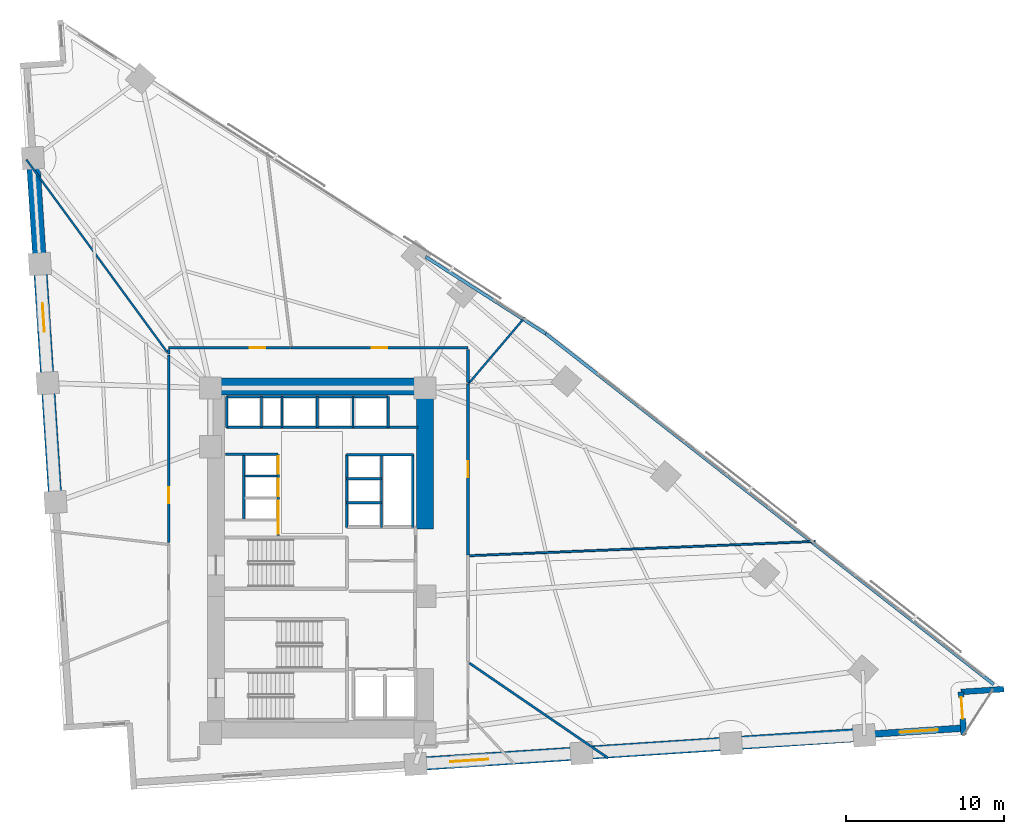
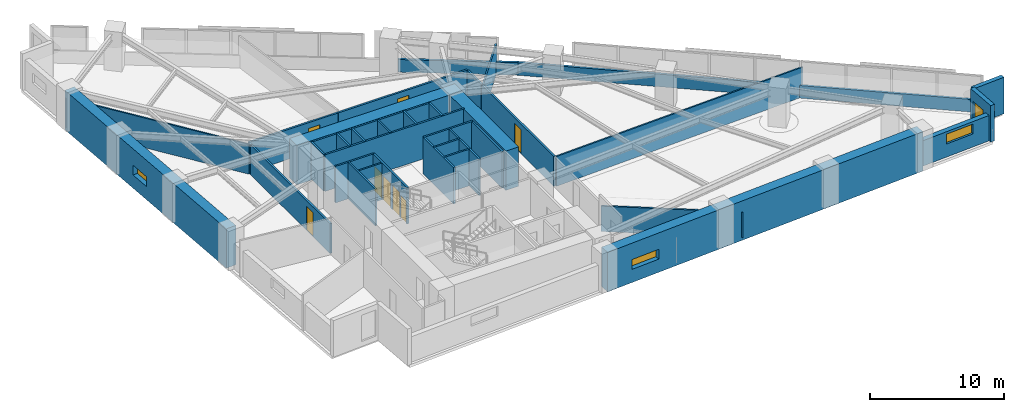
# One storey, part 13 of 16: 38 walls, 9 doors, 3 windows, 12 openings.
"""IFC4 building model written with IfcOpenShell, lengths in metres."""

import ifcopenshell
import ifcopenshell.guid

model = None  # the IFC model being written
_history = None  # IfcOwnerHistory: only IFC2X3 demands one
_inside = {}  # id of a spatial element -> (the spatial element, [elements in it])
_under = {}  # id of a project, library or spatial element -> (it, [spatial elements below it])
_declared = {}  # id of a project -> (the project, [libraries it declares])
_typed = {}  # id of a type object -> (the type object, [elements of that type])
_made_of = {}  # id of a material, layer set ... -> (it, [elements and type objects made of it])


def new_model(schema):
    """Start an empty IFC model of exactly this schema.

    Asked for "IFC4X3", IfcOpenShell would pick the latest addendum, in which some entities
    have other attributes; the version numbers below select the first issue.
    IFC2X3 requires an IfcOwnerHistory on every rooted entity: one is made here for all.
    """
    global model, _history
    if schema == "IFC4X3":
        model = ifcopenshell.file(schema_version=(4, 3, 0, 0))
    else:
        model = ifcopenshell.file(schema=schema)
    _inside.clear()
    _under.clear()
    _declared.clear()
    _typed.clear()
    _made_of.clear()
    _history = None
    if model.schema == "IFC2X3":
        org = make("IfcOrganization", Name="unknown")
        user = make(
            "IfcPersonAndOrganization",
            ThePerson=make("IfcPerson", FamilyName="unknown"),
            TheOrganization=org,
        )
        app = make(
            "IfcApplication",
            ApplicationDeveloper=org,
            Version="unknown",
            ApplicationFullName="unknown",
            ApplicationIdentifier="unknown",
        )
        _history = make(
            "IfcOwnerHistory",
            OwningUser=user,
            OwningApplication=app,
            ChangeAction="ADDED",
            CreationDate=0,
        )
    return model


def make(cls, **values):
    """One entity of the class cls with the attributes given. An attribute that is None is left unset."""
    return model.create_entity(
        cls, **{name: value for name, value in values.items() if value is not None}
    )


def rooted(cls, **values):
    """An entity with a GlobalId (a new one), such as an element, a storey or a relation."""
    return make(cls, GlobalId=ifcopenshell.guid.new(), OwnerHistory=_history, **values)


def si_unit(unit_type, name, prefix=None):
    """IfcSIUnit, for example si_unit("LENGTHUNIT", "METRE", prefix="MILLI")."""
    return make("IfcSIUnit", UnitType=unit_type, Prefix=prefix, Name=name)


def assignment(units):
    """IfcUnitAssignment: the units of a project."""
    return None if units is None else make("IfcUnitAssignment", Units=units)


def point(xyz):
    """IfcCartesianPoint."""
    return None if xyz is None else make("IfcCartesianPoint", Coordinates=xyz)


def direction(xyz):
    """IfcDirection."""
    return None if xyz is None else make("IfcDirection", DirectionRatios=xyz)


def frame(location, z_axis=None, x_axis=None):
    """IfcAxis2Placement3D, a coordinate frame: its origin and axes. An axis left out is left unset."""
    return make(
        "IfcAxis2Placement3D",
        Location=point(location),
        Axis=direction(z_axis),
        RefDirection=direction(x_axis),
    )


def frame_2d(location, x_axis=None):
    """IfcAxis2Placement2D, a coordinate frame in the plane: its origin and x axis."""
    return make(
        "IfcAxis2Placement2D", Location=point(location), RefDirection=direction(x_axis)
    )


def origin():
    """The frame at (0, 0, 0) with its axes left unset."""
    return frame((0.0, 0.0, 0.0))


def place(relative_to, where):
    """IfcLocalPlacement: puts the frame where relative to a parent placement (None: the world)."""
    return make(
        "IfcLocalPlacement", PlacementRelTo=relative_to, RelativePlacement=where
    )


def context(
    kind, dimensions, precision=None, world=None, true_north=None, identifier=None
):
    """IfcGeometricRepresentationContext, for example the 3D "Model" context."""
    return make(
        "IfcGeometricRepresentationContext",
        ContextIdentifier=identifier,
        ContextType=kind,
        CoordinateSpaceDimension=dimensions,
        Precision=precision,
        WorldCoordinateSystem=world,
        TrueNorth=true_north,
    )


def subcontext(parent, identifier, kind, view, scale=None):
    """IfcGeometricRepresentationSubContext, for example "Body" below "Model"."""
    return make(
        "IfcGeometricRepresentationSubContext",
        ContextIdentifier=identifier,
        ContextType=kind,
        ParentContext=parent,
        TargetScale=scale,
        TargetView=view,
    )


def project(units=None, contexts=None):
    """IfcProject with its units and contexts."""
    return rooted(
        "IfcProject",
        Name="project",
        RepresentationContexts=contexts,
        UnitsInContext=assignment(units),
    )


def spatial(cls, under=None, at=None, **own):
    """A site, building, storey or space (cls), placed at a placement, below another one or the project."""
    s = rooted(cls, ObjectPlacement=at, **own)
    if under is not None:
        _under.setdefault(under.id(), (under, []))[1].append(s)
    return s


def profile(cls, at=None, kind="AREA", **sizes):
    """A parametric profile (cls). Its sizes go by their IFC names, for example OverallWidth=200.0."""
    return make(cls, ProfileType=kind, Position=at, **sizes)


def rectangle(**sizes):
    """IfcRectangleProfileDef."""
    return profile("IfcRectangleProfileDef", **sizes)


def extrude(swept, where, along, depth):
    """IfcExtrudedAreaSolid: the profile swept, set in the frame where, extruded along a direction by depth."""
    return make(
        "IfcExtrudedAreaSolid",
        SweptArea=swept,
        Position=where,
        ExtrudedDirection=direction(along),
        Depth=depth,
    )


def shape(context_of_items, identifier, shape_type, items):
    """IfcShapeRepresentation: the items that make up one representation, for example the "Body"."""
    return make(
        "IfcShapeRepresentation",
        ContextOfItems=context_of_items,
        RepresentationIdentifier=identifier,
        RepresentationType=shape_type,
        Items=items,
    )


def material(Name=None, Category=None):
    """IfcMaterial."""
    return make("IfcMaterial", Name=Name, Category=Category)


def layer(
    of_material, thickness, ventilated=None, Name=None, Category=None, Priority=None
):
    """IfcMaterialLayer: one layer of a wall or slab, of a material (None: an air gap)."""
    return make(
        "IfcMaterialLayer",
        Material=of_material,
        LayerThickness=thickness,
        IsVentilated=ventilated,
        Name=Name,
        Category=Category,
        Priority=Priority,
    )


def layer_set(layers, Name=None):
    """IfcMaterialLayerSet."""
    return make("IfcMaterialLayerSet", MaterialLayers=layers, LayerSetName=Name)


def made_of(thing, what):
    """Note that an element or type object is made of a material, layer set ...; save() writes the relation."""
    if what is not None:
        _made_of.setdefault(what.id(), (what, []))[1].append(thing)
    return thing


def type_object(cls, material=None, **own):
    """A type object (cls), such as IfcWallType, which elements share."""
    return made_of(rooted(cls, **own), material)


def element(
    cls,
    number,
    at=None,
    inside=None,
    cuts=None,
    type_object=None,
    material=None,
    context=None,
    identifier="Body",
    shape_type=None,
    held_by="IfcProductDefinitionShape",
    body=None,
    shapes=None,
    **own,
):
    """One element of the class cls, such as IfcWall. Its Tag is "e" and its number.

    at: its placement. inside: the storey or other place that contains it. cuts: it is an
    opening in that element (IfcRelVoidsElement). A single representation is given by context,
    identifier, shape_type and body (its items); several are given by shapes. held_by: the class
    of the entity that holds the representations. save() writes the other relations.
    """
    e = rooted(cls, Tag="e%d" % number, ObjectPlacement=at, **own)
    if body is not None:
        shapes = [shape(context, identifier, shape_type, body)]
    if shapes is not None:
        e.Representation = make(held_by, Representations=shapes)
    if inside is not None:
        _inside.setdefault(inside.id(), (inside, []))[1].append(e)
    if cuts is not None:
        rooted(
            "IfcRelVoidsElement", RelatingBuildingElement=cuts, RelatedOpeningElement=e
        )
    if type_object is not None:
        _typed.setdefault(type_object.id(), (type_object, []))[1].append(e)
    return made_of(e, material)


def fill(opening, filler):
    """IfcRelFillsElement: the door or window that sits in an opening."""
    return rooted(
        "IfcRelFillsElement",
        RelatingOpeningElement=opening,
        RelatedBuildingElement=filler,
    )


def aggregate(whole, parts):
    """IfcRelAggregates: a whole, such as a stair, and the parts it consists of."""
    return rooted("IfcRelAggregates", RelatingObject=whole, RelatedObjects=parts)


def save(model, path):
    """Write the relations noted so far, then the file.

    IfcRelAggregates (storeys below a building ...), IfcRelContainedInSpatialStructure (elements
    in a storey), IfcRelDefinesByType, IfcRelAssociatesMaterial and IfcRelDeclares: one each for
    every whole, place, type object, material and project.
    """
    for whole, parts in _under.values():
        aggregate(whole, parts)
    for where, things in _inside.values():
        rooted(
            "IfcRelContainedInSpatialStructure",
            RelatedElements=things,
            RelatingStructure=where,
        )
    for kind, things in _typed.values():
        rooted("IfcRelDefinesByType", RelatedObjects=things, RelatingType=kind)
    for what, things in _made_of.values():
        rooted("IfcRelAssociatesMaterial", RelatedObjects=things, RelatingMaterial=what)
    for by, libraries in _declared.values():
        rooted("IfcRelDeclares", RelatingContext=by, RelatedDefinitions=libraries)
    model.write(path)


model = new_model("IFC4")

# Units and contexts
model_context = context("Model", 3, precision=1e-05, world=origin(), true_north=direction((0.0, 1.0)))
body_context = subcontext(model_context, "Body", "Model", "MODEL_VIEW")
ifc_project = project(units=[si_unit("LENGTHUNIT", "METRE"), si_unit("AREAUNIT", "SQUARE_METRE"), si_unit("VOLUMEUNIT", "CUBIC_METRE"), si_unit("PLANEANGLEUNIT", "RADIAN"), si_unit("MASSUNIT", "GRAM", prefix="KILO")], contexts=[model_context])

# Site, building, storey
site_placement = place(None, origin())
site = spatial("IfcSite", under=ifc_project, at=site_placement, CompositionType="ELEMENT")
building_placement = place(site_placement, origin())
building = spatial("IfcBuilding", under=site, at=building_placement, Name="Narakoshi Arena Tower", CompositionType="ELEMENT")
storey_placement = place(building_placement, frame((0.0, 0.0, 81.300048828125)))
storey = spatial("IfcBuildingStorey", under=building, at=storey_placement, Name="L21", CompositionType="ELEMENT", Elevation=81.300048828125)

# Walls
ifc_material_1 = material(Name="Concrete C60/75", Category="concrete")
ifc_layer_1 = layer(ifc_material_1, 1.10009765625)
ifc_layer_set_1 = layer_set([ifc_layer_1], Name="Concrete C60/75")
wall_type_1 = type_object("IfcWallType", Name="WL-CORE-1100", PredefinedType="SHEAR", material=ifc_layer_set_1)
wall_1_placement = place(storey_placement, frame((71.800048828125, 56.60009765625, -0.260009765625), z_axis=(0.0, 0.0, 1.0), x_axis=(1.0, 0.0, 0.0)))
element("IfcWall", 1, at=wall_1_placement, inside=storey, type_object=wall_type_1, Name="L21 Main Core Shear Wall CW-MN-N", PredefinedType="SHEAR", context=body_context, shape_type="SweptSolid", body=[
    extrude(rectangle(XDim=14.300048828125, YDim=1.10009765625, at=frame_2d((7.14990234375, 0.0))), origin(), (0.0, 0.0, 1.0), 3.599853515625),
])
wall_2_placement = place(storey_placement, frame((85.550048828125, 47.60009765625, -0.260009765625), z_axis=(0.0, 0.0, 1.0), x_axis=(0.0, 1.0, 0.0)))
element("IfcWall", 2, at=wall_2_placement, inside=storey, type_object=wall_type_1, Name="L21 Main Core Shear Wall CW-MN-E", PredefinedType="SHEAR", context=body_context, shape_type="SweptSolid", body=[
    extrude(rectangle(XDim=8.449951171875, YDim=1.10009765625, at=frame_2d((4.22509765625, 0.0))), origin(), (0.0, 0.0, 1.0), 3.599853515625),
])

# Wall, opening, door
ifc_material_2 = material(Name="Gypsum plasterboard fire-rated partition")
ifc_layer_2 = layer(ifc_material_2, 0.1650390625)
ifc_layer_set_2 = layer_set([ifc_layer_2], Name="Gypsum plasterboard fire-rated partition")
wall_type_2 = type_object("IfcWallType", Name="WL-CORR-165", PredefinedType="PARTITIONING", material=ifc_layer_set_2)
wall_3_placement = place(storey_placement, frame((88.265625, 45.96728515625, 0.0), z_axis=(0.0, 0.0, 1.0), x_axis=(0.0, 1.0, 0.0)))
wall_3 = element("IfcWall", 3, at=wall_3_placement, inside=storey, type_object=wall_type_2, Name="L21 Corridor Partition 06-1", PredefinedType="PARTITIONING", context=body_context, shape_type="SweptSolid", body=[
    extrude(rectangle(XDim=10.79541015625, YDim=0.1650390625, at=frame_2d((5.397705078125, 0.0))), origin(), (0.0, 0.0, 1.0), 2.724853515625),
])
opening_1_placement = place(wall_3_placement, frame((4.897705078125, 0.0, 0.0)))
opening_1 = element("IfcOpeningElement", 4, at=opening_1_placement, cuts=wall_3, Name="Opening D-06", PredefinedType="OPENING", context=body_context, shape_type="SweptSolid", body=[
    extrude(rectangle(XDim=1.0, YDim=2.199951171875, at=frame_2d((0.5, 1.10009765625))), frame((0.0, 0.092529296875, 0.0), z_axis=(0.0, -1.0, 0.0), x_axis=(1.0, 0.0, 0.0)), (0.0, 0.0, 1.0), 0.18505859375),
])
ifc_material_3 = material(Name="Stained oak solid-core timber", Category="wood")
door_type_1 = type_object("IfcDoorType", Name="DR-OFF-1000", OperationType="NOTDEFINED", PredefinedType="DOOR", material=ifc_material_3)
door_1_placement = place(opening_1_placement, frame((1.0, 0.0, 0.0), z_axis=(0.0, 0.0, 1.0), x_axis=(-1.0, 0.0, 0.0)))
door_1 = element("IfcDoor", 5, at=door_1_placement, inside=storey, type_object=door_type_1, Name="DR-L21-019", OperationType="SINGLE_SWING_RIGHT", OverallHeight=2.199951171875, OverallWidth=1.0, PredefinedType="DOOR", context=body_context, shape_type="SweptSolid", body=[
    extrude(rectangle(XDim=1.0, YDim=2.199951171875, at=frame_2d((0.5, 1.10009765625))), frame((0.0, 0.02490234375, 0.0), z_axis=(0.0, -1.0, 0.0), x_axis=(1.0, 0.0, 0.0)), (0.0, 0.0, 1.0), 0.050048828125),
])
fill(opening_1, door_1)

wall_4_placement = place(storey_placement, frame((88.265625, 59.04248046875, 0.0), z_axis=(0.0, 0.0, 1.0), x_axis=(-1.0, 0.0, 0.0)))
wall_4 = element("IfcWall", 6, at=wall_4_placement, inside=storey, type_object=wall_type_2, Name="L21 Corridor Partition 07-1", PredefinedType="PARTITIONING", context=body_context, shape_type="SweptSolid", body=[
    extrude(rectangle(XDim=11.1875, YDim=0.1650390625, at=frame_2d((5.59375, 0.0))), origin(), (0.0, 0.0, 1.0), 2.724853515625),
])
opening_2_placement = place(wall_4_placement, frame((5.09375, 0.0, 0.0)))
opening_2 = element("IfcOpeningElement", 7, at=opening_2_placement, cuts=wall_4, Name="Opening D-06", PredefinedType="OPENING", context=body_context, shape_type="SweptSolid", body=[
    extrude(rectangle(XDim=1.0, YDim=2.199951171875, at=frame_2d((0.5, 1.10009765625))), frame((0.0, 0.092529296875, 0.0), z_axis=(0.0, -1.0, 0.0), x_axis=(1.0, 0.0, 0.0)), (0.0, 0.0, 1.0), 0.18505859375),
])
door_2_placement = place(opening_2_placement, frame((1.0, 0.0, 0.0), z_axis=(0.0, 0.0, 1.0), x_axis=(-1.0, 0.0, 0.0)))
door_2 = element("IfcDoor", 8, at=door_2_placement, inside=storey, type_object=door_type_1, Name="DR-L21-020", OperationType="SINGLE_SWING_LEFT", OverallHeight=2.199951171875, OverallWidth=1.0, PredefinedType="DOOR", context=body_context, shape_type="SweptSolid", body=[
    extrude(rectangle(XDim=1.0, YDim=2.199951171875, at=frame_2d((0.5, 1.10009765625))), frame((0.0, 0.02490234375, 0.0), z_axis=(0.0, -1.0, 0.0), x_axis=(1.0, 0.0, 0.0)), (0.0, 0.0, 1.0), 0.050048828125),
])
fill(opening_2, door_2)

# Wall
wall_5_placement = place(storey_placement, frame((88.265625, 56.854736328125, 0.0), z_axis=(0.0, 0.0, 1.0), x_axis=(0.0, 1.0, 0.0)))
element("IfcWall", 9, at=wall_5_placement, inside=storey, type_object=wall_type_2, Name="L21 Corridor Partition 07-2", PredefinedType="PARTITIONING", context=body_context, shape_type="SweptSolid", body=[
    extrude(rectangle(XDim=2.09326171875, YDim=0.1650390625, at=frame_2d((1.046630859375, 0.0))), origin(), (0.0, 0.0, 1.0), 2.724853515625),
])

# Wall, opening, door
wall_6_placement = place(storey_placement, frame((77.053955078125, 59.04248046875, 0.0), z_axis=(0.0, 0.0, 1.0), x_axis=(-1.0, 0.0, 0.0)))
wall_6 = element("IfcWall", 10, at=wall_6_placement, inside=storey, type_object=wall_type_2, Name="L21 Corridor Partition 08-1", PredefinedType="PARTITIONING", context=body_context, shape_type="SweptSolid", body=[
    extrude(rectangle(XDim=7.696533203125, YDim=0.1650390625, at=frame_2d((3.84814453125, 0.0))), origin(), (0.0, 0.0, 1.0), 2.724853515625),
])
opening_3_placement = place(wall_6_placement, frame((1.585205078125, 0.0, 0.0)))
opening_3 = element("IfcOpeningElement", 11, at=opening_3_placement, cuts=wall_6, Name="Opening D-06", PredefinedType="OPENING", context=body_context, shape_type="SweptSolid", body=[
    extrude(rectangle(XDim=1.0, YDim=2.199951171875, at=frame_2d((0.5, 1.10009765625))), frame((0.0, 0.092529296875, 0.0), z_axis=(0.0, -1.0, 0.0), x_axis=(1.0, 0.0, 0.0)), (0.0, 0.0, 1.0), 0.18505859375),
])
door_3_placement = place(opening_3_placement, frame((1.0, 0.0, 0.0), z_axis=(0.0, 0.0, 1.0), x_axis=(-1.0, 0.0, 0.0)))
door_3 = element("IfcDoor", 12, at=door_3_placement, inside=storey, type_object=door_type_1, Name="DR-L21-021", OperationType="SINGLE_SWING_RIGHT", OverallHeight=2.199951171875, OverallWidth=1.0, PredefinedType="DOOR", context=body_context, shape_type="SweptSolid", body=[
    extrude(rectangle(XDim=1.0, YDim=2.199951171875, at=frame_2d((0.5, 1.10009765625))), frame((0.0, 0.02490234375, 0.0), z_axis=(0.0, -1.0, 0.0), x_axis=(1.0, 0.0, 0.0)), (0.0, 0.0, 1.0), 0.050048828125),
])
fill(opening_3, door_3)

# Wall
wall_7_placement = place(storey_placement, frame((69.357421875, 58.947998046875, 0.0), z_axis=(0.0, 0.0, 1.0), x_axis=(0.0, -1.0, 0.0)))
element("IfcWall", 13, at=wall_7_placement, inside=storey, type_object=wall_type_2, Name="L21 Corridor Partition 08-2", PredefinedType="PARTITIONING", context=body_context, shape_type="SweptSolid", body=[
    extrude(rectangle(XDim=0.30712890625, YDim=0.1650390625, at=frame_2d((0.153564453125, 0.0))), origin(), (0.0, 0.0, 1.0), 2.724853515625),
])

# Wall, opening, door
wall_8_placement = place(storey_placement, frame((69.357421875, 58.599853515625, 0.0), z_axis=(0.0, 0.0, 1.0), x_axis=(0.0, -1.0, 0.0)))
wall_8 = element("IfcWall", 14, at=wall_8_placement, inside=storey, type_object=wall_type_2, Name="L21 Corridor Partition 09-1", PredefinedType="PARTITIONING", context=body_context, shape_type="SweptSolid", body=[
    extrude(rectangle(XDim=11.859375, YDim=0.1650390625, at=frame_2d((5.9296875, 0.0))), origin(), (0.0, 0.0, 1.0), 2.724853515625),
])
opening_4_placement = place(wall_8_placement, frame((8.3583984375, 0.0, 0.0)))
opening_4 = element("IfcOpeningElement", 15, at=opening_4_placement, cuts=wall_8, Name="Opening D-06", PredefinedType="OPENING", context=body_context, shape_type="SweptSolid", body=[
    extrude(rectangle(XDim=1.0, YDim=2.199951171875, at=frame_2d((0.5, 1.10009765625))), frame((0.0, 0.092529296875, 0.0), z_axis=(0.0, -1.0, 0.0), x_axis=(1.0, 0.0, 0.0)), (0.0, 0.0, 1.0), 0.18505859375),
])
door_4_placement = place(opening_4_placement, frame((1.0, 0.0, 0.0), z_axis=(0.0, 0.0, 1.0), x_axis=(-1.0, 0.0, 0.0)))
door_4 = element("IfcDoor", 16, at=door_4_placement, inside=storey, type_object=door_type_1, Name="DR-L21-022", OperationType="SINGLE_SWING_LEFT", OverallHeight=2.199951171875, OverallWidth=1.0, PredefinedType="DOOR", context=body_context, shape_type="SweptSolid", body=[
    extrude(rectangle(XDim=1.0, YDim=2.199951171875, at=frame_2d((0.5, 1.10009765625))), frame((0.0, 0.02490234375, 0.0), z_axis=(0.0, -1.0, 0.0), x_axis=(1.0, 0.0, 0.0)), (0.0, 0.0, 1.0), 0.050048828125),
])
fill(opening_4, door_4)

# Wall, opening, window
ifc_layer_3 = layer(ifc_material_1, 0.85009765625)
ifc_layer_set_3 = layer_set([ifc_layer_3], Name="Concrete C60/75")
wall_type_3 = type_object("IfcWallType", Name="WL-LEG-850", PredefinedType="SHEAR", material=ifc_layer_set_3)
wall_9_placement = place(storey_placement, frame((84.95703125, 32.7509765625, -0.260009765625), z_axis=(0.0, 0.0, 1.0), x_axis=(0.997859046449, 0.065401249368, 0.0)))
wall_9 = element("IfcWall", 17, at=wall_9_placement, inside=storey, type_object=wall_type_3, Name="L21 Architectural Concrete Structural Wall LEGA-2", PredefinedType="SHEAR", context=body_context, shape_type="SweptSolid", body=[
    extrude(rectangle(XDim=28.400390625, YDim=0.85009765625, at=frame_2d((14.2001953125, 0.0))), origin(), (0.0, 0.0, 1.0), 3.599853515625),
])
opening_5_placement = place(wall_9_placement, frame((2.199951171875, 0.0, 1.199951171875)))
opening_5 = element("IfcOpeningElement", 18, at=opening_5_placement, cuts=wall_9, Name="Opening WN-01", PredefinedType="OPENING", context=body_context, shape_type="SweptSolid", body=[
    extrude(rectangle(XDim=2.39990234375, YDim=0.89990234375, at=frame_2d((1.199951171875, 0.449951171875))), frame((0.0, 0.43505859375, 0.0), z_axis=(0.0, -1.0, 0.0), x_axis=(1.0, 0.0, 0.0)), (0.0, 0.0, 1.0), 0.8701171875),
])
ifc_material_4 = material(Name="Bronze-tinted low-E laminated glass", Category="glass")
window_type_1 = type_object("IfcWindowType", Name="WIN-SLT-24x09", PartitioningType="SINGLE_PANEL", PredefinedType="WINDOW", material=ifc_material_4)
window_1_placement = place(opening_5_placement, origin())
window_1 = element("IfcWindow", 19, at=window_1_placement, inside=storey, type_object=window_type_1, Name="L21 LEGA2 Horizontal Slot Window 1", OverallHeight=0.89990234375, OverallWidth=2.39990234375, PartitioningType="SINGLE_PANEL", PredefinedType="WINDOW", context=body_context, shape_type="SweptSolid", body=[
    extrude(rectangle(XDim=2.39990234375, YDim=0.89990234375, at=frame_2d((1.199951171875, 0.449951171875))), frame((0.0, 0.030029296875, 0.0), z_axis=(0.0, -1.0, 0.0), x_axis=(1.0, 0.0, 0.0)), (0.0, 0.0, 1.0), 0.06005859375),
])
fill(opening_5, window_1)

wall_10_placement = place(storey_placement, frame((60.785400390625, 71.031005859375, -0.260009765625), z_axis=(0.0, 0.0, 1.0), x_axis=(0.065409824833, -0.997858484363, 0.0)))
wall_10 = element("IfcWall", 20, at=wall_10_placement, inside=storey, type_object=wall_type_3, Name="L21 Architectural Concrete Structural Wall LEGB-2", PredefinedType="SHEAR", context=body_context, shape_type="SweptSolid", body=[
    extrude(rectangle(XDim=21.78271484375, YDim=0.85009765625, at=frame_2d((10.891357421875, 0.0))), origin(), (0.0, 0.0, 1.0), 3.599853515625),
])
opening_6_placement = place(wall_10_placement, frame((9.199951171875, 0.0, 1.199951171875)))
opening_6 = element("IfcOpeningElement", 21, at=opening_6_placement, cuts=wall_10, Name="Opening WN-02", PredefinedType="OPENING", context=body_context, shape_type="SweptSolid", body=[
    extrude(rectangle(XDim=1.800048828125, YDim=0.89990234375, at=frame_2d((0.89990234375, 0.449951171875))), frame((0.0, 0.43505859375, 0.0), z_axis=(0.0, -1.0, 0.0), x_axis=(1.0, 0.0, 0.0)), (0.0, 0.0, 1.0), 0.8701171875),
])
window_type_2 = type_object("IfcWindowType", Name="WIN-SLT-18x09", PartitioningType="SINGLE_PANEL", PredefinedType="WINDOW", material=ifc_material_4)
window_2_placement = place(opening_6_placement, origin())
window_2 = element("IfcWindow", 22, at=window_2_placement, inside=storey, type_object=window_type_2, Name="L21 LEGB2 Horizontal Slot Window 1", OverallHeight=0.89990234375, OverallWidth=1.800048828125, PartitioningType="SINGLE_PANEL", PredefinedType="WINDOW", context=body_context, shape_type="SweptSolid", body=[
    extrude(rectangle(XDim=1.800048828125, YDim=0.89990234375, at=frame_2d((0.89990234375, 0.449951171875))), frame((0.0, 0.030029296875, 0.0), z_axis=(0.0, -1.0, 0.0), x_axis=(1.0, 0.0, 0.0)), (0.0, 0.0, 1.0), 0.06005859375),
])
fill(opening_6, window_2)

# Walls
ifc_material_5 = material(Name="Precast concrete C45/55", Category="concrete")
ifc_layer_4 = layer(ifc_material_5, 0.25)
ifc_layer_set_4 = layer_set([ifc_layer_4], Name="Precast concrete C45/55")
wall_type_4 = type_object("IfcWallType", Name="WL-PARA-250", PredefinedType="PARAPET", material=ifc_layer_set_4)
wall_11_placement = place(storey_placement, frame((121.47607421875, 37.781494140625, 0.0), z_axis=(0.0, 0.0, 1.0), x_axis=(-0.787385636484, 0.61646075257, 0.0)))
element("IfcWall", 23, at=wall_11_placement, inside=storey, type_object=wall_type_4, Name="L21 Hypotenuse Sill Upstand Parapet 1-01", PredefinedType="PARAPET", context=body_context, shape_type="SweptSolid", body=[
    extrude(rectangle(XDim=35.957275390625, YDim=0.199951171875, at=frame_2d((17.978515625, 0.0))), origin(), (0.0, 0.0, 1.0), 1.14990234375),
])
wall_12_placement = place(storey_placement, frame((93.176025390625, 59.93896484375, 0.0), z_axis=(0.0, 0.0, 1.0), x_axis=(-0.842413081081, 0.538832256666, 0.0)))
element("IfcWall", 24, at=wall_12_placement, inside=storey, type_object=wall_type_4, Name="L21 Hypotenuse Sill Upstand Parapet 2-01", PredefinedType="PARAPET", context=body_context, shape_type="SweptSolid", body=[
    extrude(rectangle(XDim=9.010986328125, YDim=0.199951171875, at=frame_2d((4.50537109375, 0.0))), origin(), (0.0, 0.0, 1.0), 1.14990234375),
])
ifc_layer_5 = layer(ifc_material_2, 0.125)
ifc_layer_set_5 = layer_set([ifc_layer_5], Name="Gypsum plasterboard fire-rated partition")
wall_type_5 = type_object("IfcWallType", Name="WL-PART-125", PredefinedType="PARTITIONING", material=ifc_layer_set_5)
wall_13_placement = place(storey_placement, frame((88.360107421875, 45.911376953125, 0.0), z_axis=(0.0, 0.0, 1.0), x_axis=(0.999148470792, 0.04125934214, 0.0)))
element("IfcWall", 25, at=wall_13_placement, inside=storey, type_object=wall_type_5, Name="L21 Inter-Room Partition 05-06", PredefinedType="PARTITIONING", context=body_context, shape_type="SweptSolid", body=[
    extrude(rectangle(XDim=21.858154296875, YDim=0.125, at=frame_2d((10.92919921875, 0.0))), origin(), (0.0, 0.0, 1.0), 2.724853515625),
])
wall_14_placement = place(storey_placement, frame((88.28515625, 56.7626953125, 0.0), z_axis=(0.0, 0.0, 1.0), x_axis=(0.647475127685, 0.762086582371, 0.0)))
element("IfcWall", 26, at=wall_14_placement, inside=storey, type_object=wall_type_5, Name="L21 Inter-Room Partition 06-07", PredefinedType="PARTITIONING", context=body_context, shape_type="SweptSolid", body=[
    extrude(rectangle(XDim=5.521484375, YDim=0.125, at=frame_2d((2.7607421875, 0.0))), origin(), (0.0, 0.0, 1.0), 2.724853515625),
])
wall_15_placement = place(storey_placement, frame((69.262939453125, 58.77001953125, 0.0), z_axis=(0.0, 0.0, 1.0), x_axis=(-0.590253712252, 0.807217786705, 0.0)))
element("IfcWall", 27, at=wall_15_placement, inside=storey, type_object=wall_type_5, Name="L21 Inter-Room Partition 08-09", PredefinedType="PARTITIONING", context=body_context, shape_type="SweptSolid", body=[
    extrude(rectangle(XDim=15.073974609375, YDim=0.125, at=frame_2d((7.537109375, 0.0))), origin(), (0.0, 0.0, 1.0), 2.724853515625),
])

# Wall, opening, window
ifc_layer_6 = layer(ifc_material_5, 0.419921875)
ifc_layer_set_6 = layer_set([ifc_layer_6], Name="Precast concrete C45/55")
wall_type_6 = type_object("IfcWallType", Name="WL-POD-420", PredefinedType="SOLIDWALL", material=ifc_layer_set_6)
wall_16_placement = place(storey_placement, frame((113.296630859375, 34.6083984375, 0.0), z_axis=(0.0, 0.0, 1.0), x_axis=(0.997857907016, 0.065418631945, 0.0)))
wall_16 = element("IfcWall", 28, at=wall_16_placement, inside=storey, type_object=wall_type_6, Name="L21 Architectural Concrete Facade Wall LEGA-3", PredefinedType="SOLIDWALL", context=body_context, shape_type="SweptSolid", body=[
    extrude(rectangle(XDim=6.2734375, YDim=0.419921875, at=frame_2d((3.13671875, 0.0))), origin(), (0.0, 0.0, 1.0), 2.324951171875),
])
opening_7_placement = place(wall_16_placement, frame((2.25341796875, 0.0, 1.199951171875)))
opening_7 = element("IfcOpeningElement", 29, at=opening_7_placement, cuts=wall_16, Name="Opening WN-01", PredefinedType="OPENING", context=body_context, shape_type="SweptSolid", body=[
    extrude(rectangle(XDim=2.39990234375, YDim=0.89990234375, at=frame_2d((1.199951171875, 0.449951171875))), frame((0.0, 0.219970703125, 0.0), z_axis=(0.0, -1.0, 0.0), x_axis=(1.0, 0.0, 0.0)), (0.0, 0.0, 1.0), 0.43994140625),
])
window_3_placement = place(opening_7_placement, origin())
window_3 = element("IfcWindow", 30, at=window_3_placement, inside=storey, type_object=window_type_1, Name="L21 LEGA3 Horizontal Slot Window 1", OverallHeight=0.89990234375, OverallWidth=2.39990234375, PartitioningType="SINGLE_PANEL", PredefinedType="WINDOW", context=body_context, shape_type="SweptSolid", body=[
    extrude(rectangle(XDim=2.39990234375, YDim=0.89990234375, at=frame_2d((1.199951171875, 0.449951171875))), frame((0.0, 0.030029296875, 0.0), z_axis=(0.0, -1.0, 0.0), x_axis=(1.0, 0.0, 0.0)), (0.0, 0.0, 1.0), 0.06005859375),
])
fill(opening_7, window_3)

# Wall, opening, door
wall_17_placement = place(storey_placement, frame((119.58447265625, 34.594482421875, 0.0), z_axis=(0.0, 0.0, 1.0), x_axis=(-0.065427374496, 0.997857333824, 0.0)))
wall_17 = element("IfcWall", 31, at=wall_17_placement, inside=storey, type_object=wall_type_6, Name="L21 Re-Entrant Corner Notch Wall NTE-1", PredefinedType="SOLIDWALL", context=body_context, shape_type="SweptSolid", body=[
    extrude(rectangle(XDim=2.716552734375, YDim=0.360107421875, at=frame_2d((1.3583984375, 0.0))), origin(), (0.0, 0.0, 1.0), 3.33984375),
])
opening_8_placement = place(wall_17_placement, frame((1.0263671875, 0.0, 0.0)))
opening_8 = element("IfcOpeningElement", 32, at=opening_8_placement, cuts=wall_17, Name="Opening D-12", PredefinedType="OPENING", context=body_context, shape_type="SweptSolid", body=[
    extrude(rectangle(XDim=1.35009765625, YDim=2.35009765625, at=frame_2d((0.675048828125, 1.175048828125))), frame((0.0, 0.18994140625, 0.0), z_axis=(0.0, -1.0, 0.0), x_axis=(1.0, 0.0, 0.0)), (0.0, 0.0, 1.0), 0.380126953125),
])
ifc_material_6 = material(Name="Anodised bronze aluminium 6063-T6", Category="aluminium")
door_type_2 = type_object("IfcDoorType", Name="DR-LOG-1350", OperationType="DOUBLE_DOOR_SLIDING", PredefinedType="DOOR", material=ifc_material_6)
door_5_placement = place(opening_8_placement, origin())
door_5 = element("IfcDoor", 33, at=door_5_placement, inside=storey, type_object=door_type_2, Name="DR-L21-001", OperationType="DOUBLE_DOOR_SLIDING", OverallHeight=2.35009765625, OverallWidth=1.35009765625, PredefinedType="DOOR", context=body_context, shape_type="SweptSolid", body=[
    extrude(rectangle(XDim=1.35009765625, YDim=2.35009765625, at=frame_2d((0.675048828125, 1.175048828125))), frame((0.0, 0.02490234375, 0.0), z_axis=(0.0, -1.0, 0.0), x_axis=(1.0, 0.0, 0.0)), (0.0, 0.0, 1.0), 0.050048828125),
])
fill(opening_8, door_5)

# Walls
wall_18_placement = place(storey_placement, frame((119.40673828125, 37.30517578125, 0.0), z_axis=(0.0, 0.0, 1.0), x_axis=(0.99785694905, 0.065433242561, 0.0)))
element("IfcWall", 34, at=wall_18_placement, inside=storey, type_object=wall_type_6, Name="L21 Re-Entrant Corner Notch Wall NTE-2", PredefinedType="SOLIDWALL", context=body_context, shape_type="SweptSolid", body=[
    extrude(rectangle(XDim=2.71630859375, YDim=0.360107421875, at=frame_2d((1.358154296875, 0.0))), origin(), (0.0, 0.0, 1.0), 3.33984375),
])
ifc_material_7 = material(Name="Concrete C40/50", Category="concrete")
ifc_layer_7 = layer(ifc_material_7, 0.280029296875)
ifc_layer_set_7 = layer_set([ifc_layer_7], Name="Concrete C40/50")
wall_type_7 = type_object("IfcWallType", Name="WL-RISER-280", PredefinedType="PLUMBINGWALL", material=ifc_layer_set_7)
wall_19_placement = place(storey_placement, frame((74.14990234375, 50.949951171875, 0.0), z_axis=(0.0, 0.0, 1.0), x_axis=(1.0, 0.0, 0.0)))
element("IfcWall", 35, at=wall_19_placement, inside=storey, type_object=wall_type_7, Name="L21 Core Wall LR-D2", PredefinedType="PLUMBINGWALL", context=body_context, shape_type="SweptSolid", body=[
    extrude(rectangle(XDim=2.0400390625, YDim=0.139892578125, at=frame_2d((1.02001953125, 0.0))), origin(), (0.0, 0.0, 1.0), 3.33984375),
])
wall_20_placement = place(storey_placement, frame((74.10009765625, 48.159912109375, 0.0), z_axis=(0.0, 0.0, 1.0), x_axis=(0.0, 1.0, 0.0)))
element("IfcWall", 36, at=wall_20_placement, inside=storey, type_object=wall_type_7, Name="L21 Core Wall LR-W", PredefinedType="PLUMBINGWALL", context=body_context, shape_type="SweptSolid", body=[
    extrude(rectangle(XDim=4.16015625, YDim=0.139892578125, at=frame_2d((2.080078125, 0.0))), origin(), (0.0, 0.0, 1.0), 3.33984375),
])
for number, where, z_axis, x_axis, name in (
    (37, (80.60009765625, 49.260009765625, 0.0), (0.0, 0.0, 1.0), (1.0, 0.0, 0.0), "L21 Core Wall MR-D1"),
    (38, (80.60009765625, 50.780029296875, 0.0), (0.0, 0.0, 1.0), (1.0, 0.0, 0.0), "L21 Core Wall MR-D2"),
):
    element("IfcWall", number, at=place(storey_placement, frame(where, z_axis=z_axis, x_axis=x_axis)), inside=storey, type_object=wall_type_7, Name=name, PredefinedType="PLUMBINGWALL", context=body_context, shape_type="SweptSolid", body=[
        extrude(rectangle(XDim=2.199951171875, YDim=0.14990234375, at=frame_2d((1.10009765625, 0.0))), origin(), (0.0, 0.0, 1.0), 3.33984375),
    ])
wall_21_placement = place(storey_placement, frame((82.800048828125, 47.699951171875, 0.0), z_axis=(0.0, 0.0, 1.0), x_axis=(0.0, 1.0, 0.0)))
element("IfcWall", 39, at=wall_21_placement, inside=storey, type_object=wall_type_7, Name="L21 Core Wall MR-E", PredefinedType="PLUMBINGWALL", context=body_context, shape_type="SweptSolid", body=[
    extrude(rectangle(XDim=4.60009765625, YDim=0.14990234375, at=frame_2d((2.300048828125, 0.0))), origin(), (0.0, 0.0, 1.0), 3.33984375),
])
for number, where, z_axis, x_axis, name in (
    (40, (73.02001953125, 54.02001953125, 0.0), (0.0, 0.0, 1.0), (0.0, 1.0, 0.0), "L21 Core Wall OBS-W"),
    (41, (75.219970703125, 54.02001953125, 0.0), (0.0, 0.0, 1.0), (0.0, 1.0, 0.0), "L21 Core Wall OBS-M"),
):
    element("IfcWall", number, at=place(storey_placement, frame(where, z_axis=z_axis, x_axis=x_axis)), inside=storey, type_object=wall_type_7, Name=name, PredefinedType="PLUMBINGWALL", context=body_context, shape_type="SweptSolid", body=[
        extrude(rectangle(XDim=1.93994140625, YDim=0.14990234375, at=frame_2d((0.969970703125, 0.0))), origin(), (0.0, 0.0, 1.0), 3.33984375),
    ])
for number, where, z_axis, x_axis, name in (
    (42, (78.75, 54.02001953125, 0.0), (0.0, 0.0, 1.0), (0.0, 1.0, 0.0), "L21 Core Wall HR-D1"),
    (43, (81.0, 54.02001953125, 0.0), (0.0, 0.0, 1.0), (0.0, 1.0, 0.0), "L21 Core Wall HR-D2"),
):
    element("IfcWall", number, at=place(storey_placement, frame(where, z_axis=z_axis, x_axis=x_axis)), inside=storey, type_object=wall_type_7, Name=name, PredefinedType="PLUMBINGWALL", context=body_context, shape_type="SweptSolid", body=[
        extrude(rectangle(XDim=1.9599609375, YDim=0.14990234375, at=frame_2d((0.97998046875, 0.0))), origin(), (0.0, 0.0, 1.0), 3.33984375),
    ])

# Wall, openings, doors
ifc_material_8 = material(Name="Concrete C50/60", Category="concrete")
ifc_layer_8 = layer(ifc_material_8, 0.35009765625)
ifc_layer_set_8 = layer_set([ifc_layer_8], Name="Concrete C50/60")
wall_type_8 = type_object("IfcWallType", Name="WL-SHAFT-350", PredefinedType="SOLIDWALL", material=ifc_layer_set_8)
wall_22_placement = place(storey_placement, frame((76.280029296875, 47.179931640625, 0.0), z_axis=(0.0, 0.0, 1.0), x_axis=(0.0, 1.0, 0.0)))
wall_22 = element("IfcWall", 44, at=wall_22_placement, inside=storey, type_object=wall_type_8, Name="L21 Core Wall LR-E", PredefinedType="SOLIDWALL", context=body_context, shape_type="SweptSolid", body=[
    extrude(rectangle(XDim=5.14013671875, YDim=0.159912109375, at=frame_2d((2.570068359375, 0.0))), origin(), (0.0, 0.0, 1.0), 3.33984375),
])
opening_9_placement = place(wall_22_placement, frame((1.10009765625, 0.0, 0.0)))
opening_9 = element("IfcOpeningElement", 45, at=opening_9_placement, cuts=wall_22, Name="Opening LD-01", PredefinedType="OPENING", context=body_context, shape_type="SweptSolid", body=[
    extrude(rectangle(XDim=1.10009765625, YDim=2.25, at=frame_2d((0.550048828125, 1.125))), frame((0.0, 0.08984375, 0.0), z_axis=(0.0, -1.0, 0.0), x_axis=(1.0, 0.0, 0.0)), (0.0, 0.0, 1.0), 0.179931640625),
])
opening_10_placement = place(wall_22_placement, frame((2.5, 0.0, 0.0)))
opening_10 = element("IfcOpeningElement", 46, at=opening_10_placement, cuts=wall_22, Name="Opening LD-01", PredefinedType="OPENING", context=body_context, shape_type="SweptSolid", body=[
    extrude(rectangle(XDim=1.10009765625, YDim=2.25, at=frame_2d((0.550048828125, 1.125))), frame((0.0, 0.08984375, 0.0), z_axis=(0.0, -1.0, 0.0), x_axis=(1.0, 0.0, 0.0)), (0.0, 0.0, 1.0), 0.179931640625),
])
opening_11_placement = place(wall_22_placement, frame((3.89990234375, 0.0, 0.0)))
opening_11 = element("IfcOpeningElement", 47, at=opening_11_placement, cuts=wall_22, Name="Opening LD-01", PredefinedType="OPENING", context=body_context, shape_type="SweptSolid", body=[
    extrude(rectangle(XDim=1.10009765625, YDim=2.25, at=frame_2d((0.550048828125, 1.125))), frame((0.0, 0.08984375, 0.0), z_axis=(0.0, -1.0, 0.0), x_axis=(1.0, 0.0, 0.0)), (0.0, 0.0, 1.0), 0.179931640625),
])
opening_12_placement = place(wall_22_placement, frame((0.1201171875, 0.0, 0.0)))
opening_12 = element("IfcOpeningElement", 48, at=opening_12_placement, cuts=wall_22, Name="Opening D-10", PredefinedType="OPENING", context=body_context, shape_type="SweptSolid", body=[
    extrude(rectangle(XDim=0.85009765625, YDim=2.050048828125, at=frame_2d((0.425048828125, 1.02490234375))), frame((0.0, 0.08984375, 0.0), z_axis=(0.0, -1.0, 0.0), x_axis=(1.0, 0.0, 0.0)), (0.0, 0.0, 1.0), 0.179931640625),
])
ifc_material_9 = material(Name="Brushed bronze stainless steel", Category="steel")
door_type_3 = type_object("IfcDoorType", Name="DR-LFT-1100", OperationType="DOUBLE_DOOR_SLIDING", PredefinedType="DOOR", material=ifc_material_9)
door_6_placement = place(opening_9_placement, origin())
door_6 = element("IfcDoor", 49, at=door_6_placement, inside=storey, type_object=door_type_3, Name="DR-L21-010", OperationType="DOUBLE_DOOR_SLIDING", OverallHeight=2.25, OverallWidth=1.10009765625, PredefinedType="DOOR", context=body_context, shape_type="SweptSolid", body=[
    extrude(rectangle(XDim=1.10009765625, YDim=2.25, at=frame_2d((0.550048828125, 1.125))), frame((0.0, 0.02490234375, 0.0), z_axis=(0.0, -1.0, 0.0), x_axis=(1.0, 0.0, 0.0)), (0.0, 0.0, 1.0), 0.050048828125),
])
fill(opening_9, door_6)
door_7_placement = place(opening_10_placement, origin())
door_7 = element("IfcDoor", 50, at=door_7_placement, inside=storey, type_object=door_type_3, Name="DR-L21-011", OperationType="DOUBLE_DOOR_SLIDING", OverallHeight=2.25, OverallWidth=1.10009765625, PredefinedType="DOOR", context=body_context, shape_type="SweptSolid", body=[
    extrude(rectangle(XDim=1.10009765625, YDim=2.25, at=frame_2d((0.550048828125, 1.125))), frame((0.0, 0.02490234375, 0.0), z_axis=(0.0, -1.0, 0.0), x_axis=(1.0, 0.0, 0.0)), (0.0, 0.0, 1.0), 0.050048828125),
])
fill(opening_10, door_7)
door_8_placement = place(opening_11_placement, origin())
door_8 = element("IfcDoor", 51, at=door_8_placement, inside=storey, type_object=door_type_3, Name="DR-L21-012", OperationType="DOUBLE_DOOR_SLIDING", OverallHeight=2.25, OverallWidth=1.10009765625, PredefinedType="DOOR", context=body_context, shape_type="SweptSolid", body=[
    extrude(rectangle(XDim=1.10009765625, YDim=2.25, at=frame_2d((0.550048828125, 1.125))), frame((0.0, 0.02490234375, 0.0), z_axis=(0.0, -1.0, 0.0), x_axis=(1.0, 0.0, 0.0)), (0.0, 0.0, 1.0), 0.050048828125),
])
fill(opening_11, door_8)
ifc_material_10 = material(Name="Painted galvanized steel", Category="steel")
door_type_4 = type_object("IfcDoorType", Name="DR-RSR-850", OperationType="NOTDEFINED", PredefinedType="DOOR", material=ifc_material_10)
door_9_placement = place(opening_12_placement, frame((0.85009765625, 0.0, 0.0), z_axis=(0.0, 0.0, 1.0), x_axis=(-1.0, 0.0, 0.0)))
door_9 = element("IfcDoor", 52, at=door_9_placement, inside=storey, type_object=door_type_4, Name="DR-L21-013", OperationType="SINGLE_SWING_LEFT", OverallHeight=2.050048828125, OverallWidth=0.85009765625, PredefinedType="DOOR", context=body_context, shape_type="SweptSolid", body=[
    extrude(rectangle(XDim=0.85009765625, YDim=2.050048828125, at=frame_2d((0.425048828125, 1.02490234375))), frame((0.0, 0.02490234375, 0.0), z_axis=(0.0, -1.0, 0.0), x_axis=(1.0, 0.0, 0.0)), (0.0, 0.0, 1.0), 0.050048828125),
])
fill(opening_12, door_9)

# Walls
wall_23_placement = place(storey_placement, frame((72.949951171875, 52.320068359375, 0.0), z_axis=(0.0, 0.0, 1.0), x_axis=(1.0, 0.0, 0.0)))
element("IfcWall", 53, at=wall_23_placement, inside=storey, type_object=wall_type_8, Name="L21 Core Wall LR-N", PredefinedType="SOLIDWALL", context=body_context, shape_type="SweptSolid", body=[
    extrude(rectangle(XDim=3.330078125, YDim=0.14990234375, at=frame_2d((1.6650390625, 0.0))), origin(), (0.0, 0.0, 1.0), 3.33984375),
])
wall_24_placement = place(storey_placement, frame((80.60009765625, 47.699951171875, 0.0), z_axis=(0.0, 0.0, 1.0), x_axis=(0.0, 1.0, 0.0)))
element("IfcWall", 54, at=wall_24_placement, inside=storey, type_object=wall_type_8, Name="L21 Core Wall MR-W", PredefinedType="SOLIDWALL", context=body_context, shape_type="SweptSolid", body=[
    extrude(rectangle(XDim=4.60009765625, YDim=0.159912109375, at=frame_2d((2.300048828125, 0.0))), origin(), (0.0, 0.0, 1.0), 3.33984375),
])
wall_25_placement = place(storey_placement, frame((80.60009765625, 52.300048828125, 0.0), z_axis=(0.0, 0.0, 1.0), x_axis=(1.0, 0.0, 0.0)))
element("IfcWall", 55, at=wall_25_placement, inside=storey, type_object=wall_type_8, Name="L21 Core Wall MR-N", PredefinedType="SOLIDWALL", context=body_context, shape_type="SweptSolid", body=[
    extrude(rectangle(XDim=4.219970703125, YDim=0.159912109375, at=frame_2d((2.10986328125, 0.0))), origin(), (0.0, 0.0, 1.0), 3.33984375),
])
wall_26_placement = place(storey_placement, frame((84.780029296875, 47.699951171875, 0.0), z_axis=(0.0, 0.0, 1.0), x_axis=(0.0, 1.0, 0.0)))
element("IfcWall", 56, at=wall_26_placement, inside=storey, type_object=wall_type_8, Name="L21 Core Wall MR-E2", PredefinedType="SOLIDWALL", context=body_context, shape_type="SweptSolid", body=[
    extrude(rectangle(XDim=4.60009765625, YDim=0.159912109375, at=frame_2d((2.300048828125, 0.0))), origin(), (0.0, 0.0, 1.0), 3.33984375),
])
wall_27_placement = place(storey_placement, frame((73.02001953125, 54.02001953125, 0.0), z_axis=(0.0, 0.0, 1.0), x_axis=(1.0, 0.0, 0.0)))
element("IfcWall", 57, at=wall_27_placement, inside=storey, type_object=wall_type_8, Name="L21 Core Wall NSHF-S", PredefinedType="SOLIDWALL", context=body_context, shape_type="SweptSolid", body=[
    extrude(rectangle(XDim=12.080078125, YDim=0.159912109375, at=frame_2d((6.0400390625, 0.0))), origin(), (0.0, 0.0, 1.0), 3.33984375),
])
wall_28_placement = place(storey_placement, frame((73.02001953125, 55.9599609375, 0.0), z_axis=(0.0, 0.0, 1.0), x_axis=(1.0, 0.0, 0.0)))
element("IfcWall", 58, at=wall_28_placement, inside=storey, type_object=wall_type_8, Name="L21 Core Wall OBS-N", PredefinedType="SOLIDWALL", context=body_context, shape_type="SweptSolid", body=[
    extrude(rectangle(XDim=3.5, YDim=0.14990234375, at=frame_2d((1.75, 0.0))), origin(), (0.0, 0.0, 1.0), 3.33984375),
])
wall_29_placement = place(storey_placement, frame((76.52001953125, 54.02001953125, 0.0), z_axis=(0.0, 0.0, 1.0), x_axis=(0.0, 1.0, 0.0)))
element("IfcWall", 59, at=wall_29_placement, inside=storey, type_object=wall_type_8, Name="L21 Core Wall OBS-E", PredefinedType="SOLIDWALL", context=body_context, shape_type="SweptSolid", body=[
    extrude(rectangle(XDim=1.93994140625, YDim=0.14990234375, at=frame_2d((0.969970703125, 0.0))), origin(), (0.0, 0.0, 1.0), 3.33984375),
])
wall_30_placement = place(storey_placement, frame((83.219970703125, 54.02001953125, 0.0), z_axis=(0.0, 0.0, 1.0), x_axis=(0.0, 1.0, 0.0)))
element("IfcWall", 60, at=wall_30_placement, inside=storey, type_object=wall_type_8, Name="L21 Core Wall HR-E", PredefinedType="SOLIDWALL", context=body_context, shape_type="SweptSolid", body=[
    extrude(rectangle(XDim=1.9599609375, YDim=0.14990234375, at=frame_2d((0.97998046875, 0.0))), origin(), (0.0, 0.0, 1.0), 3.33984375),
])
wall_31_placement = place(storey_placement, frame((76.52001953125, 55.9599609375, 0.0), z_axis=(0.0, 0.0, 1.0), x_axis=(1.0, 0.0, 0.0)))
element("IfcWall", 61, at=wall_31_placement, inside=storey, type_object=wall_type_8, Name="L21 Core Wall HR-N", PredefinedType="SOLIDWALL", context=body_context, shape_type="SweptSolid", body=[
    extrude(rectangle(XDim=6.699951171875, YDim=0.14990234375, at=frame_2d((3.35009765625, 0.0))), origin(), (0.0, 0.0, 1.0), 3.33984375),
])
ifc_material_11 = material(Name="Moisture-resistant cement-board partition")
ifc_layer_9 = layer(ifc_material_11, 0.14501953125)
ifc_layer_set_9 = layer_set([ifc_layer_9], Name="Moisture-resistant cement-board partition")
wall_type_9 = type_object("IfcWallType", Name="WL-WET-145", PredefinedType="PARTITIONING", material=ifc_layer_set_9)
wall_32_placement = place(storey_placement, frame((88.35009765625, 39.131103515625, 0.0), z_axis=(0.0, 0.0, 1.0), x_axis=(0.825238017094, -0.564785105278, 0.0)))
element("IfcWall", 62, at=wall_32_placement, inside=storey, type_object=wall_type_9, Name="L21 Inter-Room Partition 04-05", PredefinedType="PARTITIONING", context=body_context, shape_type="SweptSolid", body=[
    extrude(rectangle(XDim=10.63818359375, YDim=0.14501953125, at=frame_2d((5.319091796875, 0.0))), origin(), (0.0, 0.0, 1.0), 2.324951171875),
])

save(model, "model.ifc")
